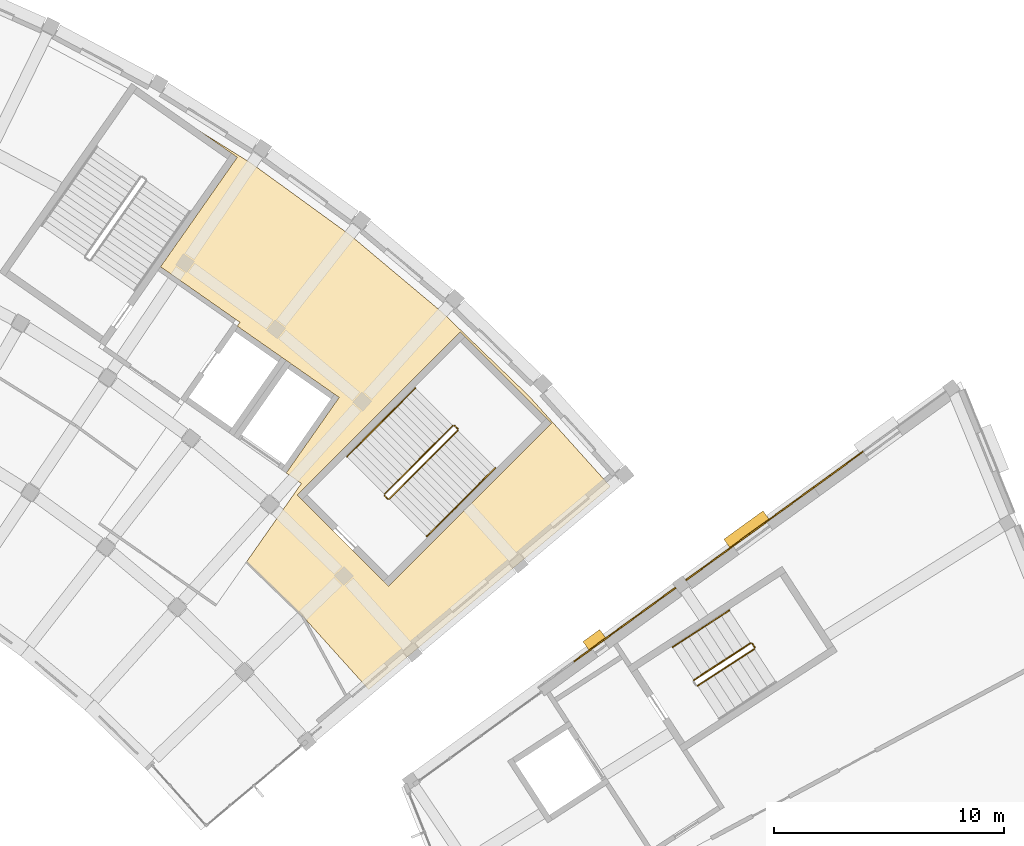
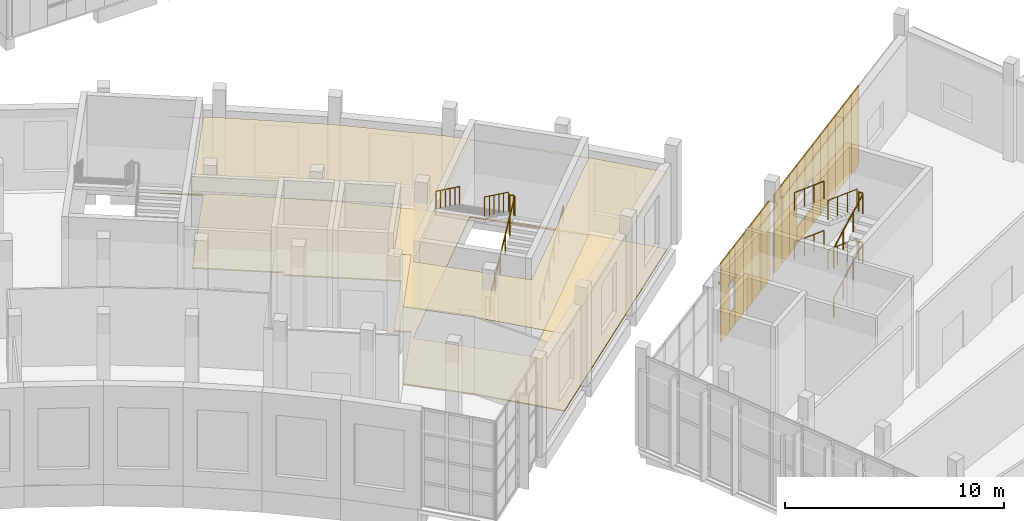
# One storey, part 80 of 87: 22 coverings, 14 railings, 2 shading devices.
"""IFC4 building model written with IfcOpenShell, lengths in metres."""

from ifc_helpers import new_model, si_unit, direction, frame, origin, origin_2d, place, context, subcontext, project, spatial, polyline, rectangle, circle, outline, extrude, material, layer, layer_set, type_object, element, save


model = new_model("IFC4")

# Units and contexts
model_context = context("Model", 3, precision=1e-05, world=origin(), true_north=direction((0.0, 1.0)))
body_context = subcontext(model_context, "Body", "Model", "MODEL_VIEW")
ifc_project = project(units=[si_unit("LENGTHUNIT", "METRE"), si_unit("AREAUNIT", "SQUARE_METRE"), si_unit("VOLUMEUNIT", "CUBIC_METRE"), si_unit("PLANEANGLEUNIT", "RADIAN"), si_unit("MASSUNIT", "GRAM", prefix="KILO")], contexts=[model_context])

# Site, building, storey
site_placement = place(None, origin())
site = spatial("IfcSite", under=ifc_project, at=site_placement, CompositionType="ELEMENT")
building_placement = place(site_placement, origin())
building = spatial("IfcBuilding", under=site, at=building_placement, Name="Lunette Opera House", CompositionType="ELEMENT")
storey_placement = place(building_placement, frame((0.0, 0.0, 11.5)))
storey = spatial("IfcBuildingStorey", under=building, at=storey_placement, Name="L02", CompositionType="ELEMENT", Elevation=11.5)

# Railings
ifc_material_1 = material(Name="Steel S355", Category="steel")
railing_type_1 = type_object("IfcRailingType", Name="STAIR GUARD 1100", PredefinedType="GUARDRAIL", material=ifc_material_1)
railing_1_placement = place(storey_placement, frame((157.38818359375, 39.686767578125, 0.171875)))
element("IfcRailing", 1, at=railing_1_placement, inside=storey, type_object=railing_type_1, Name="L02 ST21 stair guard 1", PredefinedType="GUARDRAIL", context=body_context, shape_type="SweptSolid", body=[
    extrude(circle(Radius=0.02392578125, at=origin_2d()), frame((0.0, 0.0, 1.076171875), z_axis=(0.776167955347, 0.504097991794, 0.378745983162), x_axis=(-0.544675991122, 0.838646567211, 0.0)), (0.0, 0.0, 1.0), 3.176513671875),
    extrude(circle(Radius=0.02099609375, at=origin_2d()), origin(), (0.0, 0.0, 1.0), 1.052001953125),
    extrude(circle(Radius=0.02099609375, at=origin_2d()), frame((0.82177734375, 0.53369140625, 0.401123046875)), (0.0, 0.0, 1.0), 1.052001953125),
    extrude(circle(Radius=0.02099609375, at=origin_2d()), frame((1.643798828125, 1.067626953125, 0.802001953125)), (0.0, 0.0, 1.0), 1.052001953125),
    extrude(circle(Radius=0.02099609375, at=origin_2d()), frame((2.465576171875, 1.601318359375, 1.203125)), (0.0, 0.0, 1.0), 1.052001953125),
])
railing_2_placement = place(storey_placement, frame((159.86865234375, 41.357177734375, 1.375)))
element("IfcRailing", 2, at=railing_2_placement, inside=storey, type_object=railing_type_1, Name="L02 ST21 stair guard 2", PredefinedType="GUARDRAIL", context=body_context, shape_type="SweptSolid", body=[
    extrude(circle(Radius=0.02392578125, at=origin_2d()), frame((0.0, 0.0, 1.076171875), z_axis=(-0.545116651234, 0.83836020692, 0.0), x_axis=(-0.83836020692, -0.545116651234, 0.0)), (0.0, 0.0, 1.0), 0.20068359375),
    extrude(circle(Radius=0.02099609375, at=origin_2d()), origin(), (0.0, 0.0, 1.0), 1.052001953125),
    extrude(circle(Radius=0.02099609375, at=origin_2d()), frame((-0.109375, 0.168212890625, 0.0)), (0.0, 0.0, 1.0), 1.052001953125),
])
railing_3_placement = place(storey_placement, frame((159.690185546875, 41.5400390625, 1.546875)))
element("IfcRailing", 3, at=railing_3_placement, inside=storey, type_object=railing_type_1, Name="L02 ST21 stair guard 3", PredefinedType="GUARDRAIL", context=body_context, shape_type="SweptSolid", body=[
    extrude(circle(Radius=0.02392578125, at=origin_2d()), frame((0.0, 0.0, 1.076171875), z_axis=(-0.776167955347, -0.504097991794, 0.378745983162), x_axis=(0.544675991122, -0.838646567211, 0.0)), (0.0, 0.0, 1.0), 3.176513671875),
    extrude(circle(Radius=0.02099609375, at=origin_2d()), origin(), (0.0, 0.0, 1.0), 1.052001953125),
    extrude(circle(Radius=0.02099609375, at=origin_2d()), frame((-0.82177734375, -0.53369140625, 0.401123046875)), (0.0, 0.0, 1.0), 1.052001953125),
    extrude(circle(Radius=0.02099609375, at=origin_2d()), frame((-1.643798828125, -1.067626953125, 0.802001953125)), (0.0, 0.0, 1.0), 1.052001953125),
    extrude(circle(Radius=0.02099609375, at=origin_2d()), frame((-2.465576171875, -1.601318359375, 1.203125)), (0.0, 0.0, 1.0), 1.052001953125),
])
railing_4_placement = place(storey_placement, frame((157.38818359375, 39.686767578125, 2.921875)))
element("IfcRailing", 4, at=railing_4_placement, inside=storey, type_object=railing_type_1, Name="L02 ST21 stair guard 5", PredefinedType="GUARDRAIL", context=body_context, shape_type="SweptSolid", body=[
    extrude(circle(Radius=0.02392578125, at=origin_2d()), frame((0.0, 0.0, 1.076171875), z_axis=(0.776167955347, 0.504097991794, 0.378745983162), x_axis=(-0.544675991122, 0.838646567211, 0.0)), (0.0, 0.0, 1.0), 3.176513671875),
    extrude(circle(Radius=0.02099609375, at=origin_2d()), origin(), (0.0, 0.0, 1.0), 1.052001953125),
    extrude(circle(Radius=0.02099609375, at=origin_2d()), frame((0.82177734375, 0.53369140625, 0.401123046875)), (0.0, 0.0, 1.0), 1.052001953125),
    extrude(circle(Radius=0.02099609375, at=origin_2d()), frame((1.643798828125, 1.067626953125, 0.802001953125)), (0.0, 0.0, 1.0), 1.052001953125),
    extrude(circle(Radius=0.02099609375, at=origin_2d()), frame((2.465576171875, 1.601318359375, 1.203125)), (0.0, 0.0, 1.0), 1.052001953125),
])
railing_5_placement = place(storey_placement, frame((159.86865234375, 41.357177734375, 4.125)))
element("IfcRailing", 5, at=railing_5_placement, inside=storey, type_object=railing_type_1, Name="L02 ST21 stair guard 6", PredefinedType="GUARDRAIL", context=body_context, shape_type="SweptSolid", body=[
    extrude(circle(Radius=0.02392578125, at=origin_2d()), frame((0.0, 0.0, 1.076171875), z_axis=(-0.545116651234, 0.83836020692, 0.0), x_axis=(-0.83836020692, -0.545116651234, 0.0)), (0.0, 0.0, 1.0), 0.20068359375),
    extrude(circle(Radius=0.02099609375, at=origin_2d()), origin(), (0.0, 0.0, 1.0), 1.052001953125),
    extrude(circle(Radius=0.02099609375, at=origin_2d()), frame((-0.109375, 0.168212890625, 0.0)), (0.0, 0.0, 1.0), 1.052001953125),
])
railing_6_placement = place(storey_placement, frame((159.690185546875, 41.5400390625, 4.296875)))
element("IfcRailing", 6, at=railing_6_placement, inside=storey, type_object=railing_type_1, Name="L02 ST21 stair guard 7", PredefinedType="GUARDRAIL", context=body_context, shape_type="SweptSolid", body=[
    extrude(circle(Radius=0.02392578125, at=origin_2d()), frame((0.0, 0.0, 1.076171875), z_axis=(-0.776167955347, -0.504097991794, 0.378745983162), x_axis=(0.544675991122, -0.838646567211, 0.0)), (0.0, 0.0, 1.0), 3.176513671875),
    extrude(circle(Radius=0.02099609375, at=origin_2d()), origin(), (0.0, 0.0, 1.0), 1.052001953125),
    extrude(circle(Radius=0.02099609375, at=origin_2d()), frame((-0.82177734375, -0.53369140625, 0.401123046875)), (0.0, 0.0, 1.0), 1.052001953125),
    extrude(circle(Radius=0.02099609375, at=origin_2d()), frame((-1.643798828125, -1.067626953125, 0.802001953125)), (0.0, 0.0, 1.0), 1.052001953125),
    extrude(circle(Radius=0.02099609375, at=origin_2d()), frame((-2.465576171875, -1.601318359375, 1.203125)), (0.0, 0.0, 1.0), 1.052001953125),
])
railing_7_placement = place(storey_placement, frame((144.012451171875, 47.800048828125, 0.171875)))
element("IfcRailing", 7, at=railing_7_placement, inside=storey, type_object=railing_type_1, Name="L02 ST4 stair guard 1", PredefinedType="GUARDRAIL", context=body_context, shape_type="SweptSolid", body=[
    extrude(circle(Radius=0.02392578125, at=origin_2d()), frame((0.0, 0.0, 1.076171875), z_axis=(0.602621891009, 0.602621891009, 0.523157445664), x_axis=(-0.707106781187, 0.707106781187, 0.0)), (0.0, 0.0, 1.0), 4.927978515625),
    extrude(circle(Radius=0.02099609375, at=origin_2d()), origin(), (0.0, 0.0, 1.0), 1.052001953125),
    extrude(circle(Radius=0.02099609375, at=origin_2d()), frame((0.593994140625, 0.593994140625, 0.515625)), (0.0, 0.0, 1.0), 1.052001953125),
    extrude(circle(Radius=0.02099609375, at=origin_2d()), frame((1.18798828125, 1.18798828125, 1.03125)), (0.0, 0.0, 1.0), 1.052001953125),
    extrude(circle(Radius=0.02099609375, at=origin_2d()), frame((1.78173828125, 1.78173828125, 1.546875)), (0.0, 0.0, 1.0), 1.052001953125),
    extrude(circle(Radius=0.02099609375, at=origin_2d()), frame((2.375732421875, 2.375732421875, 2.0625)), (0.0, 0.0, 1.0), 1.052001953125),
    extrude(circle(Radius=0.02099609375, at=origin_2d()), frame((2.9697265625, 2.9697265625, 2.578125)), (0.0, 0.0, 1.0), 1.052001953125),
])
railing_8_placement = place(storey_placement, frame((146.982177734375, 50.840576171875, 2.75)))
element("IfcRailing", 8, at=railing_8_placement, inside=storey, type_object=railing_type_1, Name="L02 ST4 stair guard 2", PredefinedType="GUARDRAIL", context=body_context, shape_type="SweptSolid", body=[
    extrude(circle(Radius=0.02392578125, at=origin_2d()), frame((0.0, 0.0, 1.076171875), z_axis=(-0.707106781187, 0.707106781187, 0.0), x_axis=(-0.707106781187, -0.707106781187, 0.0)), (0.0, 0.0, 1.0), 0.2001953125),
    extrude(circle(Radius=0.02099609375, at=origin_2d()), origin(), (0.0, 0.0, 1.0), 1.052001953125),
    extrude(circle(Radius=0.02099609375, at=origin_2d()), frame((-0.1416015625, 0.1416015625, 0.0)), (0.0, 0.0, 1.0), 1.052001953125),
])
railing_9_placement = place(storey_placement, frame((146.769775390625, 50.982177734375, 2.921875)))
element("IfcRailing", 9, at=railing_9_placement, inside=storey, type_object=railing_type_1, Name="L02 ST4 stair guard 3", PredefinedType="GUARDRAIL", context=body_context, shape_type="SweptSolid", body=[
    extrude(circle(Radius=0.02392578125, at=origin_2d()), frame((0.0, 0.0, 1.076171875), z_axis=(-0.602621891009, -0.602621891009, 0.523157445664), x_axis=(0.707106781187, -0.707106781187, 0.0)), (0.0, 0.0, 1.0), 4.927978515625),
    extrude(circle(Radius=0.02099609375, at=origin_2d()), origin(), (0.0, 0.0, 1.0), 1.052001953125),
    extrude(circle(Radius=0.02099609375, at=origin_2d()), frame((-0.593994140625, -0.593994140625, 0.515625)), (0.0, 0.0, 1.0), 1.052001953125),
    extrude(circle(Radius=0.02099609375, at=origin_2d()), frame((-1.18798828125, -1.18798828125, 1.03125)), (0.0, 0.0, 1.0), 1.052001953125),
    extrude(circle(Radius=0.02099609375, at=origin_2d()), frame((-1.78173828125, -1.78173828125, 1.546875)), (0.0, 0.0, 1.0), 1.052001953125),
    extrude(circle(Radius=0.02099609375, at=origin_2d()), frame((-2.375732421875, -2.375732421875, 2.0625)), (0.0, 0.0, 1.0), 1.052001953125),
    extrude(circle(Radius=0.02099609375, at=origin_2d()), frame((-2.9697265625, -2.9697265625, 2.578125)), (0.0, 0.0, 1.0), 1.052001953125),
])
railing_10_placement = place(storey_placement, frame((143.941650390625, 47.800048828125, 0.0)))
element("IfcRailing", 10, at=railing_10_placement, inside=storey, type_object=railing_type_1, Name="L02 ST4 stair guard 4", PredefinedType="GUARDRAIL", context=body_context, shape_type="SweptSolid", body=[
    extrude(circle(Radius=0.02392578125, at=origin_2d()), frame((0.0, 0.0, 1.076171875), z_axis=(-0.707106781187, 0.707106781187, 0.0), x_axis=(-0.707106781187, -0.707106781187, 0.0)), (0.0, 0.0, 1.0), 0.2001953125),
    extrude(circle(Radius=0.02099609375, at=origin_2d()), origin(), (0.0, 0.0, 1.0), 1.052001953125),
    extrude(circle(Radius=0.02099609375, at=origin_2d()), frame((-0.1416015625, 0.1416015625, 0.0)), (0.0, 0.0, 1.0), 1.052001953125),
])
ifc_material_2 = material(Name="Steel S355", Category="steel")
railing_type_2 = type_object("IfcRailingType", Name="STAIR HANDRAIL 1000", PredefinedType="HANDRAIL", material=ifc_material_2)
for number, where, name in (
    (11, (158.76416015625, 42.9658203125, 1.546875), "L02 ST21 stair handrail 2"),
    (12, (158.76416015625, 42.9658203125, 4.296875), "L02 ST21 stair handrail 4"),
):
    element("IfcRailing", number, at=place(storey_placement, frame(where)), inside=storey, type_object=railing_type_2, Name=name, PredefinedType="HANDRAIL", context=body_context, shape_type="SweptSolid", body=[
        extrude(circle(Radius=0.02392578125, at=origin_2d()), frame((0.0, 0.0, 0.97607421875), z_axis=(-0.776137883793, -0.504155314158, 0.378731309172), x_axis=(0.544734393305, -0.83860863384, 0.0)), (0.0, 0.0, 1.0), 3.1767578125),
        extrude(circle(Radius=0.02099609375, at=origin_2d()), origin(), (0.0, 0.0, 1.0), 0.951904296875),
        extrude(circle(Radius=0.02099609375, at=origin_2d()), frame((-0.82177734375, -0.533935546875, 0.401123046875)), (0.0, 0.0, 1.0), 0.951904296875),
        extrude(circle(Radius=0.02099609375, at=origin_2d()), frame((-1.643798828125, -1.067626953125, 0.802001953125)), (0.0, 0.0, 1.0), 0.951904296875),
        extrude(circle(Radius=0.02099609375, at=origin_2d()), frame((-2.465576171875, -1.6015625, 1.203125)), (0.0, 0.0, 1.0), 0.951904296875),
    ])
railing_11_placement = place(storey_placement, frame((145.638671875, 46.173583984375, 0.171875)))
element("IfcRailing", 13, at=railing_11_placement, inside=storey, type_object=railing_type_2, Name="L02 ST4 stair handrail 1", PredefinedType="HANDRAIL", context=body_context, shape_type="SweptSolid", body=[
    extrude(circle(Radius=0.02392578125, at=origin_2d()), frame((0.0, 0.0, 0.97607421875), z_axis=(0.602635448971, 0.602635448971, 0.523126209711), x_axis=(-0.707106781187, 0.707106781187, 0.0)), (0.0, 0.0, 1.0), 4.92822265625),
    extrude(circle(Radius=0.02099609375, at=origin_2d()), origin(), (0.0, 0.0, 1.0), 0.951904296875),
    extrude(circle(Radius=0.02099609375, at=origin_2d()), frame((0.593994140625, 0.593994140625, 0.515625)), (0.0, 0.0, 1.0), 0.951904296875),
    extrude(circle(Radius=0.02099609375, at=origin_2d()), frame((1.18798828125, 1.18798828125, 1.03125)), (0.0, 0.0, 1.0), 0.951904296875),
    extrude(circle(Radius=0.02099609375, at=origin_2d()), frame((1.781982421875, 1.781982421875, 1.546875)), (0.0, 0.0, 1.0), 0.951904296875),
    extrude(circle(Radius=0.02099609375, at=origin_2d()), frame((2.3759765625, 2.3759765625, 2.0625)), (0.0, 0.0, 1.0), 0.951904296875),
    extrude(circle(Radius=0.02099609375, at=origin_2d()), frame((2.969970703125, 2.969970703125, 2.578125)), (0.0, 0.0, 1.0), 0.951904296875),
])
railing_12_placement = place(storey_placement, frame((145.1435546875, 52.608642578125, 2.921875)))
element("IfcRailing", 14, at=railing_12_placement, inside=storey, type_object=railing_type_2, Name="L02 ST4 stair handrail 2", PredefinedType="HANDRAIL", context=body_context, shape_type="SweptSolid", body=[
    extrude(circle(Radius=0.02392578125, at=origin_2d()), frame((0.0, 0.0, 0.97607421875), z_axis=(-0.602635448971, -0.602635448971, 0.523126209711), x_axis=(0.707106781187, -0.707106781187, 0.0)), (0.0, 0.0, 1.0), 4.92822265625),
    extrude(circle(Radius=0.02099609375, at=origin_2d()), origin(), (0.0, 0.0, 1.0), 0.951904296875),
    extrude(circle(Radius=0.02099609375, at=origin_2d()), frame((-0.593994140625, -0.593994140625, 0.515625)), (0.0, 0.0, 1.0), 0.951904296875),
    extrude(circle(Radius=0.02099609375, at=origin_2d()), frame((-1.18798828125, -1.18798828125, 1.03125)), (0.0, 0.0, 1.0), 0.951904296875),
    extrude(circle(Radius=0.02099609375, at=origin_2d()), frame((-1.781982421875, -1.781982421875, 1.546875)), (0.0, 0.0, 1.0), 0.951904296875),
    extrude(circle(Radius=0.02099609375, at=origin_2d()), frame((-2.3759765625, -2.3759765625, 2.0625)), (0.0, 0.0, 1.0), 0.951904296875),
    extrude(circle(Radius=0.02099609375, at=origin_2d()), frame((-2.969970703125, -2.969970703125, 2.578125)), (0.0, 0.0, 1.0), 0.951904296875),
])

# Coverings
ifc_material_3 = material(Name="Aluminium standing seam cladding", Category="aluminium")
ifc_layer_1 = layer(ifc_material_3, 0.06005859375)
ifc_layer_set_1 = layer_set([ifc_layer_1], Name="Aluminium standing seam cladding")
covering_type_1 = type_object("IfcCoveringType", Name="STANDING SEAM CLADDING 60", PredefinedType="CLADDING", material=ifc_layer_set_1)
for number, where, z_axis, x_axis, name in (
    (15, (164.2109375, 49.595947265625, 0.0), (0.0, 0.0, 1.0), (-0.809040588935, -0.587752775795, 0.0), "Standing Seam Cladding 60 SZ L02"),
    (16, (163.498046875, 49.076904296875, 0.0), (0.0, 0.0, 1.0), (-0.809040588935, -0.587752775795, 0.0), "Standing Seam Cladding 60 SZ L02"),
    (17, (162.783935546875, 48.55810546875, 0.0), (0.0, 0.0, 1.0), (-0.809040588935, -0.587752775795, 0.0), "Standing Seam Cladding 60 SZ L02"),
):
    element("IfcCovering", number, at=place(storey_placement, frame(where, z_axis=z_axis, x_axis=x_axis)), inside=storey, type_object=covering_type_1, Name=name, PredefinedType="CLADDING", context=body_context, shape_type="SweptSolid", body=[
        extrude(rectangle(XDim=0.882080078125, YDim=0.06005859375, at=origin_2d()), origin(), (0.0, 0.0, 1.0), 4.39990234375),
    ])
for number, where, z_axis, x_axis, name in (
    (18, (162.0859375, 48.052001953125, 0.0), (0.0, 0.0, 1.0), (-0.809044692204, -0.587747127612, 0.0), "Standing Seam Cladding 60 SZ L02"),
    (19, (161.404052734375, 47.555908203125, 0.0), (0.0, 0.0, 1.0), (-0.809044692204, -0.587747127612, 0.0), "Standing Seam Cladding 60 SZ L02"),
    (20, (160.722900390625, 47.06103515625, 0.0), (0.0, 0.0, 1.0), (-0.809044692204, -0.587747127612, 0.0), "Standing Seam Cladding 60 SZ L02"),
):
    element("IfcCovering", number, at=place(storey_placement, frame(where, z_axis=z_axis, x_axis=x_axis)), inside=storey, type_object=covering_type_1, Name=name, PredefinedType="CLADDING", context=body_context, shape_type="SweptSolid", body=[
        extrude(rectangle(XDim=0.843017578125, YDim=0.06005859375, at=origin_2d()), origin(), (0.0, 0.0, 1.0), 4.39990234375),
    ])
covering_1_placement = place(storey_placement, frame((160.01806640625, 46.549072265625, 0.0), z_axis=(0.0, 0.0, 1.0), x_axis=(-0.809044692204, -0.587747127612, 0.0)))
element("IfcCovering", 21, at=covering_1_placement, inside=storey, type_object=covering_type_1, Name="Standing Seam Cladding 60 SZ L02", PredefinedType="CLADDING", context=body_context, shape_type="SweptSolid", body=[
    extrude(rectangle(XDim=0.89990234375, YDim=0.06005859375, at=origin_2d()), origin(), (0.0, 0.0, 1.0), 0.949951171875),
])
covering_2_placement = place(storey_placement, frame((160.01806640625, 46.549072265625, 2.7001953125), z_axis=(0.0, 0.0, 1.0), x_axis=(-0.809044692204, -0.587747127612, 0.0)))
element("IfcCovering", 22, at=covering_2_placement, inside=storey, type_object=covering_type_1, Name="Standing Seam Cladding 60 SZ L02", PredefinedType="CLADDING", context=body_context, shape_type="SweptSolid", body=[
    extrude(rectangle(XDim=0.89990234375, YDim=0.06005859375, at=origin_2d()), origin(), (0.0, 0.0, 1.0), 1.699951171875),
])
covering_3_placement = place(storey_placement, frame((159.2890625, 46.02001953125, 0.0), z_axis=(0.0, 0.0, 1.0), x_axis=(-0.809044692204, -0.587747127612, 0.0)))
element("IfcCovering", 23, at=covering_3_placement, inside=storey, type_object=covering_type_1, Name="Standing Seam Cladding 60 SZ L02", PredefinedType="CLADDING", context=body_context, shape_type="SweptSolid", body=[
    extrude(rectangle(XDim=0.89990234375, YDim=0.06005859375, at=origin_2d()), origin(), (0.0, 0.0, 1.0), 0.949951171875),
])
covering_4_placement = place(storey_placement, frame((159.2890625, 46.02001953125, 2.7001953125), z_axis=(0.0, 0.0, 1.0), x_axis=(-0.809044692204, -0.587747127612, 0.0)))
element("IfcCovering", 24, at=covering_4_placement, inside=storey, type_object=covering_type_1, Name="Standing Seam Cladding 60 SZ L02", PredefinedType="CLADDING", context=body_context, shape_type="SweptSolid", body=[
    extrude(rectangle(XDim=0.89990234375, YDim=0.06005859375, at=origin_2d()), origin(), (0.0, 0.0, 1.0), 1.699951171875),
])
for number, where, z_axis, x_axis, name in (
    (25, (158.5849609375, 45.508056640625, 0.0), (0.0, 0.0, 1.0), (-0.809044692204, -0.587747127612, 0.0), "Standing Seam Cladding 60 SZ L02"),
    (26, (157.903076171875, 45.012939453125, 0.0), (0.0, 0.0, 1.0), (-0.809044692204, -0.587747127612, 0.0), "Standing Seam Cladding 60 SZ L02"),
    (27, (157.221923828125, 44.51806640625, 0.0), (0.0, 0.0, 1.0), (-0.809044692204, -0.587747127612, 0.0), "Standing Seam Cladding 60 SZ L02"),
):
    element("IfcCovering", number, at=place(storey_placement, frame(where, z_axis=z_axis, x_axis=x_axis)), inside=storey, type_object=covering_type_1, Name=name, PredefinedType="CLADDING", context=body_context, shape_type="SweptSolid", body=[
        extrude(rectangle(XDim=0.842041015625, YDim=0.06005859375, at=origin_2d()), origin(), (0.0, 0.0, 1.0), 4.39990234375),
    ])
for number, where, z_axis, x_axis, name in (
    (28, (156.04296875, 43.660888671875, 0.0), (0.0, 0.0, 1.0), (-0.809046743824, -0.58774430351, 0.0), "Standing Seam Cladding 60 SZ L02"),
    (29, (155.258056640625, 43.090087890625, 0.0), (0.0, 0.0, 1.0), (-0.809046743824, -0.58774430351, 0.0), "Standing Seam Cladding 60 SZ L02"),
    (30, (154.471923828125, 42.51904296875, 0.0), (0.0, 0.0, 1.0), (-0.809046743824, -0.58774430351, 0.0), "Standing Seam Cladding 60 SZ L02"),
    (31, (153.68603515625, 41.948974609375, 0.0), (0.0, 0.0, 1.0), (-0.809046743824, -0.58774430351, 0.0), "Standing Seam Cladding 60 SZ L02"),
):
    element("IfcCovering", number, at=place(storey_placement, frame(where, z_axis=z_axis, x_axis=x_axis)), inside=storey, type_object=covering_type_1, Name=name, PredefinedType="CLADDING", context=body_context, shape_type="SweptSolid", body=[
        extrude(rectangle(XDim=0.970947265625, YDim=0.06005859375, at=origin_2d()), origin(), (0.0, 0.0, 1.0), 4.39990234375),
    ])
covering_5_placement = place(storey_placement, frame((153.051025390625, 41.487060546875, 0.0), z_axis=(0.0, 0.0, 1.0), x_axis=(-0.809046743824, -0.58774430351, 0.0)))
element("IfcCovering", 32, at=covering_5_placement, inside=storey, type_object=covering_type_1, Name="Standing Seam Cladding 60 SZ L02", PredefinedType="CLADDING", context=body_context, shape_type="SweptSolid", body=[
    extrude(rectangle(XDim=0.60009765625, YDim=0.06005859375, at=origin_2d()), origin(), (0.0, 0.0, 1.0), 0.949951171875),
])
covering_6_placement = place(storey_placement, frame((153.051025390625, 41.487060546875, 2.7001953125), z_axis=(0.0, 0.0, 1.0), x_axis=(-0.809046743824, -0.58774430351, 0.0)))
element("IfcCovering", 33, at=covering_6_placement, inside=storey, type_object=covering_type_1, Name="Standing Seam Cladding 60 SZ L02", PredefinedType="CLADDING", context=body_context, shape_type="SweptSolid", body=[
    extrude(rectangle(XDim=0.60009765625, YDim=0.06005859375, at=origin_2d()), origin(), (0.0, 0.0, 1.0), 1.699951171875),
])
covering_7_placement = place(storey_placement, frame((152.41796875, 41.027099609375, 0.0), z_axis=(0.0, 0.0, 1.0), x_axis=(-0.809046743824, -0.58774430351, 0.0)))
element("IfcCovering", 34, at=covering_7_placement, inside=storey, type_object=covering_type_1, Name="Standing Seam Cladding 60 SZ L02", PredefinedType="CLADDING", context=body_context, shape_type="SweptSolid", body=[
    extrude(rectangle(XDim=0.965087890625, YDim=0.06005859375, at=origin_2d()), origin(), (0.0, 0.0, 1.0), 4.39990234375),
])
ifc_material_4 = material(Name="Mineral fibre board")
ifc_layer_2 = layer(ifc_material_4, 0.014892578125)
ifc_layer_set_2 = layer_set([ifc_layer_2], Name="Mineral fibre board")
covering_type_2 = type_object("IfcCoveringType", Name="SUSPENDED ACOUSTIC CEILING 15", PredefinedType="CEILING", material=ifc_layer_set_2)
covering_8_placement = place(storey_placement, frame((0.0, 0.0, 4.31494140625)))
element("IfcCovering", 35, at=covering_8_placement, inside=storey, type_object=covering_type_2, Name="Ceiling Grand Tier Foyer Rear", PredefinedType="CEILING", context=body_context, shape_type="SweptSolid", body=[
    extrude(outline(polyline([(141.8310546875, 52.202880859375), (139.537109375, 53.80908203125), (137.407958984375, 55.300048828125), (137.52294921875, 55.464111328125), (134.08203125, 57.8740234375), (137.408935546875, 62.625), (135.81396484375, 63.741943359375), (138.051025390625, 62.343994140625), (142.298095703125, 59.258056640625), (146.319091796875, 55.884033203125), (150.093994140625, 52.238037109375), (153.60595703125, 48.337890625), (145.027099609375, 41.137939453125), (143.112060546875, 39.531005859375), (140.239013671875, 42.720947265625), (137.81103515625, 45.06689453125), (140.19189453125, 48.468017578125), (139.537109375, 48.927001953125), (141.8310546875, 52.202880859375)]), holes=[polyline([(140.01708984375, 47.97705078125), (143.97705078125, 44.01708984375), (151.048095703125, 51.087890625), (147.087890625, 55.048095703125), (140.01708984375, 47.97705078125)])]), origin(), (0.0, 0.0, 1.0), 0.01513671875),
])
ifc_material_5 = material(Name="Terrazzo")
ifc_layer_3 = layer(ifc_material_5, 0.06005859375)
ifc_layer_set_3 = layer_set([ifc_layer_3], Name="Terrazzo")
covering_type_3 = type_object("IfcCoveringType", Name="TERRAZZO FLOOR FINISH 60", PredefinedType="FLOORING", material=ifc_layer_set_3)
covering_9_placement = place(storey_placement, origin())
element("IfcCovering", 36, at=covering_9_placement, inside=storey, type_object=covering_type_3, Name="Floor finish Grand Tier Foyer Rear", PredefinedType="FLOORING", context=body_context, shape_type="SweptSolid", body=[
    extrude(outline(polyline([(141.8310546875, 52.202880859375), (139.537109375, 53.80908203125), (137.407958984375, 55.300048828125), (137.52294921875, 55.464111328125), (134.08203125, 57.8740234375), (137.408935546875, 62.625), (135.81396484375, 63.741943359375), (138.051025390625, 62.343994140625), (142.298095703125, 59.258056640625), (146.319091796875, 55.884033203125), (150.093994140625, 52.238037109375), (153.60595703125, 48.337890625), (145.027099609375, 41.137939453125), (143.112060546875, 39.531005859375), (140.239013671875, 42.720947265625), (137.81103515625, 45.06689453125), (140.19189453125, 48.468017578125), (139.537109375, 48.927001953125), (141.8310546875, 52.202880859375)]), holes=[polyline([(140.01708984375, 47.97705078125), (143.97705078125, 44.01708984375), (151.048095703125, 51.087890625), (147.087890625, 55.048095703125), (140.01708984375, 47.97705078125)])]), origin(), (0.0, 0.0, 1.0), 0.06005859375),
])

# Shading devices
ifc_material_6 = material(Name="Powder-coated aluminium", Category="aluminium")
ifc_layer_4 = layer(ifc_material_6, 0.1201171875)
ifc_layer_set_4 = layer_set([ifc_layer_4], Name="Powder-coated aluminium")
shading_device_type_1 = type_object("IfcShadingDeviceType", Name="WINDOW HOOD 500 X 2100", PredefinedType="USERDEFINED", material=ifc_layer_set_4)
shading_device_1_placement = place(storey_placement, frame((159.52392578125, 46.4619140625, 2.579833984375), z_axis=(0.0, 0.0, 1.0), x_axis=(-0.587747127612, 0.809044692204, 0.0)))
element("IfcShadingDevice", 37, at=shading_device_1_placement, inside=storey, type_object=shading_device_type_1, Name="Window hood SB-N2023", ObjectType="WINDOW HOOD", PredefinedType="USERDEFINED", context=body_context, shape_type="SweptSolid", body=[
    extrude(rectangle(XDim=0.5, YDim=2.10009765625, at=origin_2d()), origin(), (0.0, 0.0, 1.0), 0.1201171875),
])
ifc_material_7 = material(Name="Powder-coated aluminium", Category="aluminium")
ifc_layer_5 = layer(ifc_material_7, 0.1201171875)
ifc_layer_set_5 = layer_set([ifc_layer_5], Name="Powder-coated aluminium")
shading_device_type_2 = type_object("IfcShadingDeviceType", Name="WINDOW HOOD 500 X 900", PredefinedType="USERDEFINED", material=ifc_layer_set_5)
shading_device_2_placement = place(storey_placement, frame((152.922119140625, 41.6650390625, 2.579833984375), z_axis=(0.0, 0.0, 1.0), x_axis=(-0.58774430351, 0.809046743824, 0.0)))
element("IfcShadingDevice", 38, at=shading_device_2_placement, inside=storey, type_object=shading_device_type_2, Name="Window hood SB-N2025", ObjectType="WINDOW HOOD", PredefinedType="USERDEFINED", context=body_context, shape_type="SweptSolid", body=[
    extrude(rectangle(XDim=0.5, YDim=0.89990234375, at=origin_2d()), origin(), (0.0, 0.0, 1.0), 0.1201171875),
])

save(model, "model.ifc")
